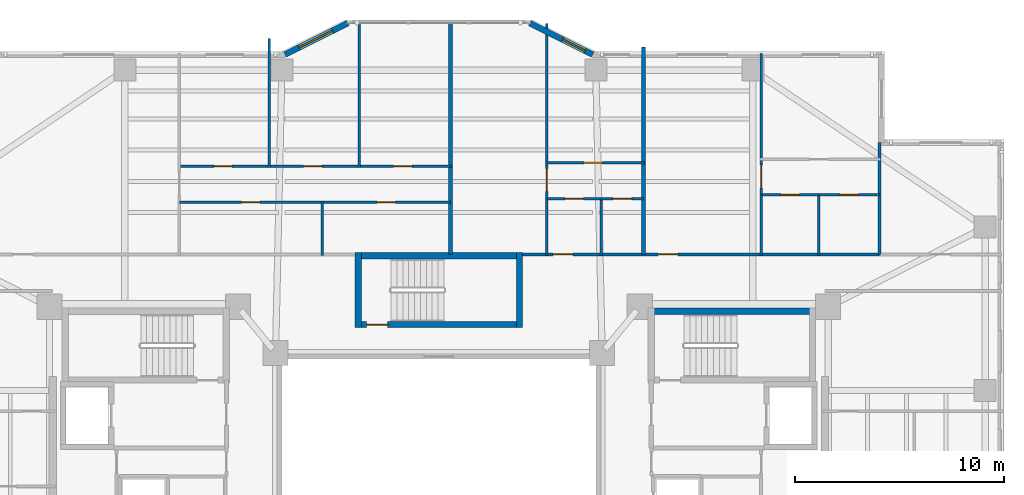
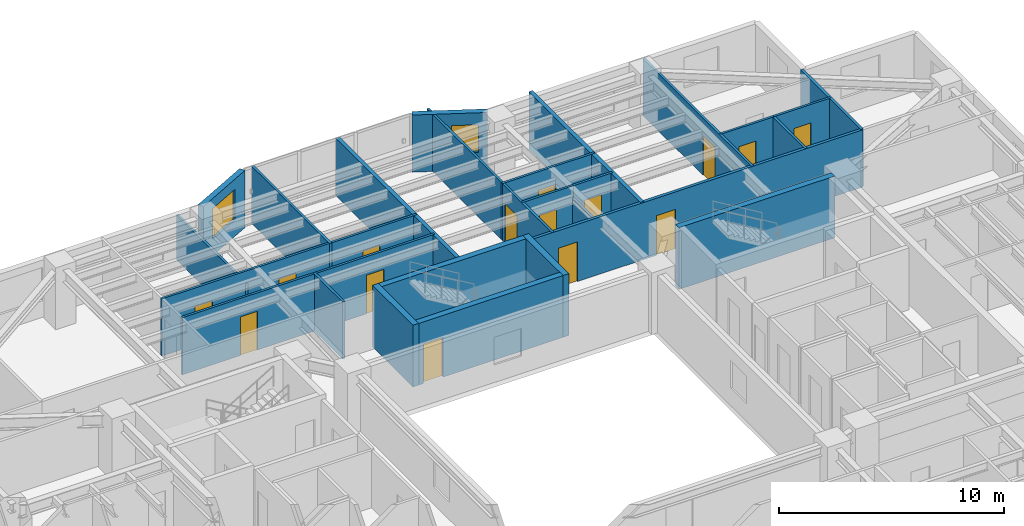
# One storey, part 10 of 18: 26 walls, 15 doors, 2 windows, 17 openings.
"""IFC4 building model written with IfcOpenShell, lengths in metres."""

import ifcopenshell
import ifcopenshell.guid

model = None  # the IFC model being written
_history = None  # IfcOwnerHistory: only IFC2X3 demands one
_inside = {}  # id of a spatial element -> (the spatial element, [elements in it])
_under = {}  # id of a project, library or spatial element -> (it, [spatial elements below it])
_declared = {}  # id of a project -> (the project, [libraries it declares])
_typed = {}  # id of a type object -> (the type object, [elements of that type])
_made_of = {}  # id of a material, layer set ... -> (it, [elements and type objects made of it])


def new_model(schema):
    """Start an empty IFC model of exactly this schema.

    Asked for "IFC4X3", IfcOpenShell would pick the latest addendum, in which some entities
    have other attributes; the version numbers below select the first issue.
    IFC2X3 requires an IfcOwnerHistory on every rooted entity: one is made here for all.
    """
    global model, _history
    if schema == "IFC4X3":
        model = ifcopenshell.file(schema_version=(4, 3, 0, 0))
    else:
        model = ifcopenshell.file(schema=schema)
    _inside.clear()
    _under.clear()
    _declared.clear()
    _typed.clear()
    _made_of.clear()
    _history = None
    if model.schema == "IFC2X3":
        org = make("IfcOrganization", Name="unknown")
        user = make(
            "IfcPersonAndOrganization",
            ThePerson=make("IfcPerson", FamilyName="unknown"),
            TheOrganization=org,
        )
        app = make(
            "IfcApplication",
            ApplicationDeveloper=org,
            Version="unknown",
            ApplicationFullName="unknown",
            ApplicationIdentifier="unknown",
        )
        _history = make(
            "IfcOwnerHistory",
            OwningUser=user,
            OwningApplication=app,
            ChangeAction="ADDED",
            CreationDate=0,
        )
    return model


def make(cls, **values):
    """One entity of the class cls with the attributes given. An attribute that is None is left unset."""
    return model.create_entity(
        cls, **{name: value for name, value in values.items() if value is not None}
    )


def rooted(cls, **values):
    """An entity with a GlobalId (a new one), such as an element, a storey or a relation."""
    return make(cls, GlobalId=ifcopenshell.guid.new(), OwnerHistory=_history, **values)


def si_unit(unit_type, name, prefix=None):
    """IfcSIUnit, for example si_unit("LENGTHUNIT", "METRE", prefix="MILLI")."""
    return make("IfcSIUnit", UnitType=unit_type, Prefix=prefix, Name=name)


def assignment(units):
    """IfcUnitAssignment: the units of a project."""
    return None if units is None else make("IfcUnitAssignment", Units=units)


def point(xyz):
    """IfcCartesianPoint."""
    return None if xyz is None else make("IfcCartesianPoint", Coordinates=xyz)


def direction(xyz):
    """IfcDirection."""
    return None if xyz is None else make("IfcDirection", DirectionRatios=xyz)


def frame(location, z_axis=None, x_axis=None):
    """IfcAxis2Placement3D, a coordinate frame: its origin and axes. An axis left out is left unset."""
    return make(
        "IfcAxis2Placement3D",
        Location=point(location),
        Axis=direction(z_axis),
        RefDirection=direction(x_axis),
    )


def frame_2d(location, x_axis=None):
    """IfcAxis2Placement2D, a coordinate frame in the plane: its origin and x axis."""
    return make(
        "IfcAxis2Placement2D", Location=point(location), RefDirection=direction(x_axis)
    )


def origin():
    """The frame at (0, 0, 0) with its axes left unset."""
    return frame((0.0, 0.0, 0.0))


def place(relative_to, where):
    """IfcLocalPlacement: puts the frame where relative to a parent placement (None: the world)."""
    return make(
        "IfcLocalPlacement", PlacementRelTo=relative_to, RelativePlacement=where
    )


def context(
    kind, dimensions, precision=None, world=None, true_north=None, identifier=None
):
    """IfcGeometricRepresentationContext, for example the 3D "Model" context."""
    return make(
        "IfcGeometricRepresentationContext",
        ContextIdentifier=identifier,
        ContextType=kind,
        CoordinateSpaceDimension=dimensions,
        Precision=precision,
        WorldCoordinateSystem=world,
        TrueNorth=true_north,
    )


def subcontext(parent, identifier, kind, view, scale=None):
    """IfcGeometricRepresentationSubContext, for example "Body" below "Model"."""
    return make(
        "IfcGeometricRepresentationSubContext",
        ContextIdentifier=identifier,
        ContextType=kind,
        ParentContext=parent,
        TargetScale=scale,
        TargetView=view,
    )


def project(units=None, contexts=None):
    """IfcProject with its units and contexts."""
    return rooted(
        "IfcProject",
        Name="project",
        RepresentationContexts=contexts,
        UnitsInContext=assignment(units),
    )


def spatial(cls, under=None, at=None, **own):
    """A site, building, storey or space (cls), placed at a placement, below another one or the project."""
    s = rooted(cls, ObjectPlacement=at, **own)
    if under is not None:
        _under.setdefault(under.id(), (under, []))[1].append(s)
    return s


def profile(cls, at=None, kind="AREA", **sizes):
    """A parametric profile (cls). Its sizes go by their IFC names, for example OverallWidth=200.0."""
    return make(cls, ProfileType=kind, Position=at, **sizes)


def rectangle(**sizes):
    """IfcRectangleProfileDef."""
    return profile("IfcRectangleProfileDef", **sizes)


def extrude(swept, where, along, depth):
    """IfcExtrudedAreaSolid: the profile swept, set in the frame where, extruded along a direction by depth."""
    return make(
        "IfcExtrudedAreaSolid",
        SweptArea=swept,
        Position=where,
        ExtrudedDirection=direction(along),
        Depth=depth,
    )


def shape(context_of_items, identifier, shape_type, items):
    """IfcShapeRepresentation: the items that make up one representation, for example the "Body"."""
    return make(
        "IfcShapeRepresentation",
        ContextOfItems=context_of_items,
        RepresentationIdentifier=identifier,
        RepresentationType=shape_type,
        Items=items,
    )


def material(Name=None, Category=None):
    """IfcMaterial."""
    return make("IfcMaterial", Name=Name, Category=Category)


def layer(
    of_material, thickness, ventilated=None, Name=None, Category=None, Priority=None
):
    """IfcMaterialLayer: one layer of a wall or slab, of a material (None: an air gap)."""
    return make(
        "IfcMaterialLayer",
        Material=of_material,
        LayerThickness=thickness,
        IsVentilated=ventilated,
        Name=Name,
        Category=Category,
        Priority=Priority,
    )


def layer_set(layers, Name=None):
    """IfcMaterialLayerSet."""
    return make("IfcMaterialLayerSet", MaterialLayers=layers, LayerSetName=Name)


def made_of(thing, what):
    """Note that an element or type object is made of a material, layer set ...; save() writes the relation."""
    if what is not None:
        _made_of.setdefault(what.id(), (what, []))[1].append(thing)
    return thing


def type_object(cls, material=None, **own):
    """A type object (cls), such as IfcWallType, which elements share."""
    return made_of(rooted(cls, **own), material)


def element(
    cls,
    number,
    at=None,
    inside=None,
    cuts=None,
    type_object=None,
    material=None,
    context=None,
    identifier="Body",
    shape_type=None,
    held_by="IfcProductDefinitionShape",
    body=None,
    shapes=None,
    **own,
):
    """One element of the class cls, such as IfcWall. Its Tag is "e" and its number.

    at: its placement. inside: the storey or other place that contains it. cuts: it is an
    opening in that element (IfcRelVoidsElement). A single representation is given by context,
    identifier, shape_type and body (its items); several are given by shapes. held_by: the class
    of the entity that holds the representations. save() writes the other relations.
    """
    e = rooted(cls, Tag="e%d" % number, ObjectPlacement=at, **own)
    if body is not None:
        shapes = [shape(context, identifier, shape_type, body)]
    if shapes is not None:
        e.Representation = make(held_by, Representations=shapes)
    if inside is not None:
        _inside.setdefault(inside.id(), (inside, []))[1].append(e)
    if cuts is not None:
        rooted(
            "IfcRelVoidsElement", RelatingBuildingElement=cuts, RelatedOpeningElement=e
        )
    if type_object is not None:
        _typed.setdefault(type_object.id(), (type_object, []))[1].append(e)
    return made_of(e, material)


def fill(opening, filler):
    """IfcRelFillsElement: the door or window that sits in an opening."""
    return rooted(
        "IfcRelFillsElement",
        RelatingOpeningElement=opening,
        RelatedBuildingElement=filler,
    )


def aggregate(whole, parts):
    """IfcRelAggregates: a whole, such as a stair, and the parts it consists of."""
    return rooted("IfcRelAggregates", RelatingObject=whole, RelatedObjects=parts)


def save(model, path):
    """Write the relations noted so far, then the file.

    IfcRelAggregates (storeys below a building ...), IfcRelContainedInSpatialStructure (elements
    in a storey), IfcRelDefinesByType, IfcRelAssociatesMaterial and IfcRelDeclares: one each for
    every whole, place, type object, material and project.
    """
    for whole, parts in _under.values():
        aggregate(whole, parts)
    for where, things in _inside.values():
        rooted(
            "IfcRelContainedInSpatialStructure",
            RelatedElements=things,
            RelatingStructure=where,
        )
    for kind, things in _typed.values():
        rooted("IfcRelDefinesByType", RelatedObjects=things, RelatingType=kind)
    for what, things in _made_of.values():
        rooted("IfcRelAssociatesMaterial", RelatedObjects=things, RelatingMaterial=what)
    for by, libraries in _declared.values():
        rooted("IfcRelDeclares", RelatingContext=by, RelatedDefinitions=libraries)
    model.write(path)


model = new_model("IFC4")

# Units and contexts
model_context = context("Model", 3, precision=1e-05, world=origin(), true_north=direction((0.0, 1.0)))
body_context = subcontext(model_context, "Body", "Model", "MODEL_VIEW")
ifc_project = project(units=[si_unit("LENGTHUNIT", "METRE"), si_unit("AREAUNIT", "SQUARE_METRE"), si_unit("VOLUMEUNIT", "CUBIC_METRE"), si_unit("PLANEANGLEUNIT", "RADIAN"), si_unit("MASSUNIT", "GRAM", prefix="KILO")], contexts=[model_context])

# Site, building, storey
site_placement = place(None, origin())
site = spatial("IfcSite", under=ifc_project, at=site_placement, CompositionType="ELEMENT")
building_placement = place(site_placement, origin())
building = spatial("IfcBuilding", under=site, at=building_placement, Name="Tarnavaz Court Tower", CompositionType="ELEMENT")
storey_placement = place(building_placement, frame((0.0, 0.0, 91.699951171875)))
storey = spatial("IfcBuildingStorey", under=building, at=storey_placement, Name="L24", CompositionType="ELEMENT", Elevation=91.699951171875)

# Walls
ifc_material_1 = material(Name="Concrete C60/75", Category="concrete")
ifc_layer_1 = layer(ifc_material_1, 0.300048828125)
ifc_layer_set_1 = layer_set([ifc_layer_1], Name="Concrete C60/75")
wall_type_1 = type_object("IfcWallType", Name="WL-CORE-300-C60", PredefinedType="SHEAR", material=ifc_layer_set_1)
for number, where, z_axis, x_axis, name in (
    (1, (10.0, 9.7900390625, 0.0), (0.0, 0.0, 1.0), (1.0, 0.0, 0.0), "L24 East Stair Core Wall 005"),
    (2, (-4.0, 12.43994140625, 0.0), (0.0, 0.0, 1.0), (1.0, 0.0, 0.0), "L24 North Stair Core Wall 009"),
):
    element("IfcWall", number, at=place(storey_placement, frame(where, z_axis=z_axis, x_axis=x_axis)), inside=storey, type_object=wall_type_1, Name=name, PredefinedType="SHEAR", context=body_context, shape_type="SweptSolid", body=[
        extrude(rectangle(XDim=8.0, YDim=0.300048828125, at=frame_2d((4.0, 0.0))), origin(), (0.0, 0.0, 1.0), 3.35009765625),
    ])

# Wall, opening, door
wall_1_placement = place(storey_placement, frame((-4.0, 9.14990234375, 0.0), z_axis=(0.0, 0.0, 1.0), x_axis=(1.0, 0.0, 0.0)))
wall_1 = element("IfcWall", 3, at=wall_1_placement, inside=storey, type_object=wall_type_1, Name="L24 North Stair Core Wall 010", PredefinedType="SHEAR", context=body_context, shape_type="SweptSolid", body=[
    extrude(rectangle(XDim=8.0, YDim=0.300048828125, at=frame_2d((4.0, 0.0))), origin(), (0.0, 0.0, 1.0), 3.35009765625),
])
opening_1_placement = place(wall_1_placement, frame((0.550048828125, 0.0, 0.0)))
opening_1 = element("IfcOpeningElement", 4, at=opening_1_placement, cuts=wall_1, Name="Opening D01", PredefinedType="OPENING", context=body_context, shape_type="SweptSolid", body=[
    extrude(rectangle(XDim=1.0, YDim=2.14990234375, at=frame_2d((0.5, 1.074951171875))), frame((0.0, 0.159912109375, 0.0), z_axis=(0.0, -1.0, 0.0), x_axis=(1.0, 0.0, 0.0)), (0.0, 0.0, 1.0), 0.320068359375),
])
ifc_material_2 = material(Name="Fire-Rated Hardwood Timber Core", Category="wood")
door_type_1 = type_object("IfcDoorType", Name="DR-FD90-1000", OperationType="NOTDEFINED", PredefinedType="DOOR", material=ifc_material_2)
door_1_placement = place(opening_1_placement, origin())
door_1 = element("IfcDoor", 5, at=door_1_placement, inside=storey, type_object=door_type_1, Name="L24 Stair ST-N1 Exit Door", OperationType="SINGLE_SWING_LEFT", OverallHeight=2.14990234375, OverallWidth=1.0, PredefinedType="DOOR", context=body_context, shape_type="SweptSolid", body=[
    extrude(rectangle(XDim=1.0, YDim=2.14990234375, at=frame_2d((0.5, 1.074951171875))), frame((0.0, 0.02490234375, 0.0), z_axis=(0.0, -1.0, 0.0), x_axis=(1.0, 0.0, 0.0)), (0.0, 0.0, 1.0), 0.050048828125),
])
fill(opening_1, door_1)

# Walls
for number, where, z_axis, x_axis, name in (
    (6, (-3.85009765625, 9.0, 0.0), (0.0, 0.0, 1.0), (0.0, 1.0, 0.0), "L24 North Stair Core Wall 011"),
    (7, (3.85009765625, 9.0, 0.0), (0.0, 0.0, 1.0), (0.0, 1.0, 0.0), "L24 North Stair Core Wall 012"),
):
    element("IfcWall", number, at=place(storey_placement, frame(where, z_axis=z_axis, x_axis=x_axis)), inside=storey, type_object=wall_type_1, Name=name, PredefinedType="SHEAR", context=body_context, shape_type="SweptSolid", body=[
        extrude(rectangle(XDim=3.590087890625, YDim=0.300048828125, at=frame_2d((1.794921875, 0.0))), origin(), (0.0, 0.0, 1.0), 3.35009765625),
    ])

# Wall, opening, window
ifc_material_3 = material(Name="Precast Concrete C40/50", Category="concrete")
ifc_layer_2 = layer(ifc_material_3, 0.280029296875)
ifc_layer_set_2 = layer_set([ifc_layer_2], Name="Precast Concrete C40/50")
wall_type_2 = type_object("IfcWallType", Name="WL-EXT-280", PredefinedType="SOLIDWALL", material=ifc_layer_set_2)
wall_2_placement = place(storey_placement, frame((-7.35009765625, 22.050048828125, 0.0), z_axis=(0.0, 0.0, 1.0), x_axis=(0.894427191, 0.4472135955, 0.0)))
wall_2 = element("IfcWall", 8, at=wall_2_placement, inside=storey, type_object=wall_type_2, Name="L24 Exterior Terracotta Facade Wall 06", PredefinedType="SOLIDWALL", context=body_context, shape_type="SweptSolid", body=[
    extrude(rectangle(XDim=3.35400390625, YDim=0.280029296875, at=frame_2d((1.677001953125, 0.0))), origin(), (0.0, 0.0, 1.0), 3.10009765625),
])
opening_2_placement = place(wall_2_placement, frame((0.7470703125, 0.0, 0.89990234375)))
opening_2 = element("IfcOpeningElement", 9, at=opening_2_placement, cuts=wall_2, Name="Opening W01", PredefinedType="OPENING", context=body_context, shape_type="SweptSolid", body=[
    extrude(rectangle(XDim=1.800048828125, YDim=1.64990234375, at=frame_2d((0.89990234375, 0.824951171875))), frame((0.0, 0.14990234375, 0.0), z_axis=(0.0, -1.0, 0.0), x_axis=(1.0, 0.0, 0.0)), (0.0, 0.0, 1.0), 0.300048828125),
])
ifc_material_4 = material(Name="Double-Glazed Solar Low-E Glass", Category="glass")
window_type_1 = type_object("IfcWindowType", Name="WN-APT-1800", PartitioningType="DOUBLE_PANEL_VERTICAL", PredefinedType="WINDOW", material=ifc_material_4)
window_1_placement = place(opening_2_placement, origin())
window_1 = element("IfcWindow", 10, at=window_1_placement, inside=storey, type_object=window_type_1, Name="L24 Flat 01 Bedroom 2 Window", OverallHeight=1.64990234375, OverallWidth=1.800048828125, PartitioningType="SINGLE_PANEL", PredefinedType="WINDOW", context=body_context, shape_type="SweptSolid", body=[
    extrude(rectangle(XDim=1.800048828125, YDim=1.64990234375, at=frame_2d((0.89990234375, 0.824951171875))), frame((0.0, 0.030029296875, 0.0), z_axis=(0.0, -1.0, 0.0), x_axis=(1.0, 0.0, 0.0)), (0.0, 0.0, 1.0), 0.06005859375),
])
fill(opening_2, window_1)

wall_3_placement = place(storey_placement, frame((4.35009765625, 23.550048828125, 0.0), z_axis=(0.0, 0.0, 1.0), x_axis=(0.894427191, -0.4472135955, 0.0)))
wall_3 = element("IfcWall", 11, at=wall_3_placement, inside=storey, type_object=wall_type_2, Name="L24 Exterior Terracotta Facade Wall 08", PredefinedType="SOLIDWALL", context=body_context, shape_type="SweptSolid", body=[
    extrude(rectangle(XDim=3.35400390625, YDim=0.280029296875, at=frame_2d((1.677001953125, 0.0))), origin(), (0.0, 0.0, 1.0), 3.10009765625),
])
opening_3_placement = place(wall_3_placement, frame((1.7529296875, 0.0, 0.949951171875)))
opening_3 = element("IfcOpeningElement", 12, at=opening_3_placement, cuts=wall_3, Name="Opening W05", PredefinedType="OPENING", context=body_context, shape_type="SweptSolid", body=[
    extrude(rectangle(XDim=1.199951171875, YDim=1.5, at=frame_2d((0.60009765625, 0.75))), frame((0.0, 0.14990234375, 0.0), z_axis=(0.0, -1.0, 0.0), x_axis=(1.0, 0.0, 0.0)), (0.0, 0.0, 1.0), 0.300048828125),
])
window_type_2 = type_object("IfcWindowType", Name="WN-APT-1200", PartitioningType="SINGLE_PANEL", PredefinedType="WINDOW", material=ifc_material_4)
window_2_placement = place(opening_3_placement, origin())
window_2 = element("IfcWindow", 13, at=window_2_placement, inside=storey, type_object=window_type_2, Name="L24 Flat 02 Bedroom 1 Window", OverallHeight=1.5, OverallWidth=1.199951171875, PartitioningType="SINGLE_PANEL", PredefinedType="WINDOW", context=body_context, shape_type="SweptSolid", body=[
    extrude(rectangle(XDim=1.199951171875, YDim=1.5, at=frame_2d((0.60009765625, 0.75))), frame((0.0, 0.030029296875, 0.0), z_axis=(0.0, -1.0, 0.0), x_axis=(1.0, 0.0, 0.0)), (0.0, 0.0, 1.0), 0.06005859375),
])
fill(opening_3, window_2)

# Wall, openings, doors
ifc_material_5 = material(Name="Gypsum Fire-Board on Acoustic Metal Stud", Category="masonry")
ifc_layer_3 = layer(ifc_material_5, 0.14990234375)
ifc_layer_set_3 = layer_set([ifc_layer_3], Name="Gypsum Fire-Board on Acoustic Metal Stud")
wall_type_3 = type_object("IfcWallType", Name="WL-FIRE-150", PredefinedType="PARTITIONING", material=ifc_layer_set_3)
wall_4_placement = place(storey_placement, frame((3.85009765625, 12.5, 0.0), z_axis=(0.0, 0.0, 1.0), x_axis=(1.0, 0.0, 0.0)))
wall_4 = element("IfcWall", 14, at=wall_4_placement, inside=storey, type_object=wall_type_3, Name="L24 NE Wing Corridor Wall 072", PredefinedType="PARTITIONING", context=body_context, shape_type="SweptSolid", body=[
    extrude(rectangle(XDim=17.199951171875, YDim=0.14990234375, at=frame_2d((8.60009765625, 0.0))), origin(), (0.0, 0.0, 1.0), 3.10009765625),
])
opening_4_placement = place(wall_4_placement, frame((1.60009765625, 0.0, 0.0)))
opening_4 = element("IfcOpeningElement", 15, at=opening_4_placement, cuts=wall_4, Name="Opening D06", PredefinedType="OPENING", context=body_context, shape_type="SweptSolid", body=[
    extrude(rectangle(XDim=0.9599609375, YDim=2.14990234375, at=frame_2d((0.47998046875, 1.074951171875))), frame((0.0, 0.0849609375, 0.0), z_axis=(0.0, -1.0, 0.0), x_axis=(1.0, 0.0, 0.0)), (0.0, 0.0, 1.0), 0.169921875),
])
opening_5_placement = place(wall_4_placement, frame((6.625, 0.0, 0.0)))
opening_5 = element("IfcOpeningElement", 16, at=opening_5_placement, cuts=wall_4, Name="Opening D06", PredefinedType="OPENING", context=body_context, shape_type="SweptSolid", body=[
    extrude(rectangle(XDim=0.9599609375, YDim=2.14990234375, at=frame_2d((0.47998046875, 1.074951171875))), frame((0.0, 0.0849609375, 0.0), z_axis=(0.0, -1.0, 0.0), x_axis=(1.0, 0.0, 0.0)), (0.0, 0.0, 1.0), 0.169921875),
])
door_type_2 = type_object("IfcDoorType", Name="DR-FD60-950", OperationType="NOTDEFINED", PredefinedType="DOOR", material=ifc_material_2)
door_2_placement = place(opening_4_placement, origin())
door_2 = element("IfcDoor", 17, at=door_2_placement, inside=storey, type_object=door_type_2, Name="L24 Flat 02 Entrance Door", OperationType="SINGLE_SWING_RIGHT", OverallHeight=2.14990234375, OverallWidth=0.9599609375, PredefinedType="DOOR", context=body_context, shape_type="SweptSolid", body=[
    extrude(rectangle(XDim=0.9599609375, YDim=2.14990234375, at=frame_2d((0.47998046875, 1.074951171875))), frame((0.0, 0.02490234375, 0.0), z_axis=(0.0, -1.0, 0.0), x_axis=(1.0, 0.0, 0.0)), (0.0, 0.0, 1.0), 0.050048828125),
])
fill(opening_4, door_2)
door_3_placement = place(opening_5_placement, origin())
door_3 = element("IfcDoor", 18, at=door_3_placement, inside=storey, type_object=door_type_2, Name="L24 Flat 03 Entrance Door", OperationType="SINGLE_SWING_LEFT", OverallHeight=2.14990234375, OverallWidth=0.9599609375, PredefinedType="DOOR", context=body_context, shape_type="SweptSolid", body=[
    extrude(rectangle(XDim=0.9599609375, YDim=2.14990234375, at=frame_2d((0.47998046875, 1.074951171875))), frame((0.0, 0.02490234375, 0.0), z_axis=(0.0, -1.0, 0.0), x_axis=(1.0, 0.0, 0.0)), (0.0, 0.0, 1.0), 0.050048828125),
])
fill(opening_5, door_3)

# Walls
ifc_material_6 = material(Name="Autoclaved Aerated Concrete Blockwork", Category="masonry")
ifc_layer_4 = layer(ifc_material_6, 0.199951171875)
ifc_layer_set_4 = layer_set([ifc_layer_4], Name="Autoclaved Aerated Concrete Blockwork")
wall_type_4 = type_object("IfcWallType", Name="WL-FIRE-200", PredefinedType="SOLIDWALL", material=ifc_layer_set_4)
wall_5_placement = place(storey_placement, frame((0.550048828125, 12.5, 0.0), z_axis=(0.0, 0.0, 1.0), x_axis=(0.0, 1.0, 0.0)))
element("IfcWall", 19, at=wall_5_placement, inside=storey, type_object=wall_type_4, Name="L24 North Center Party Wall 075", PredefinedType="SOLIDWALL", context=body_context, shape_type="SweptSolid", body=[
    extrude(rectangle(XDim=11.080078125, YDim=0.199951171875, at=frame_2d((5.5400390625, 0.0))), origin(), (0.0, 0.0, 1.0), 3.10009765625),
])
wall_6_placement = place(storey_placement, frame((9.77490234375, 12.5, 0.0), z_axis=(0.0, 0.0, 1.0), x_axis=(0.0, 1.0, 0.0)))
element("IfcWall", 20, at=wall_6_placement, inside=storey, type_object=wall_type_4, Name="L24 Party Wall 083", PredefinedType="SOLIDWALL", context=body_context, shape_type="SweptSolid", body=[
    extrude(rectangle(XDim=9.902099609375, YDim=0.199951171875, at=frame_2d((4.951171875, 0.0))), origin(), (0.0, 0.0, 1.0), 3.10009765625),
])

# Wall, opening, door
ifc_material_7 = material(Name="Moisture-Resistant Gypsum Board Partition", Category="masonry")
ifc_layer_5 = layer(ifc_material_7, 0.1201171875)
ifc_layer_set_5 = layer_set([ifc_layer_5], Name="Moisture-Resistant Gypsum Board Partition")
wall_type_5 = type_object("IfcWallType", Name="WL-PART-120", PredefinedType="PARTITIONING", material=ifc_layer_set_5)
wall_7_placement = place(storey_placement, frame((-12.39794921875, 15.0, 0.0), z_axis=(0.0, 0.0, 1.0), x_axis=(1.0, 0.0, 0.0)))
wall_7 = element("IfcWall", 21, at=wall_7_placement, inside=storey, type_object=wall_type_5, Name="L24 Interior Partition 077", PredefinedType="PARTITIONING", context=body_context, shape_type="SweptSolid", body=[
    extrude(rectangle(XDim=6.8310546875, YDim=0.1201171875, at=frame_2d((3.41552734375, 0.0))), origin(), (0.0, 0.0, 1.0), 3.10009765625),
])
opening_6_placement = place(wall_7_placement, frame((2.97509765625, 0.0, 0.0)))
opening_6 = element("IfcOpeningElement", 22, at=opening_6_placement, cuts=wall_7, Name="Opening D14", PredefinedType="OPENING", context=body_context, shape_type="SweptSolid", body=[
    extrude(rectangle(XDim=0.8798828125, YDim=2.10009765625, at=frame_2d((0.43994140625, 1.050048828125))), frame((0.0, 0.070068359375, 0.0), z_axis=(0.0, -1.0, 0.0), x_axis=(1.0, 0.0, 0.0)), (0.0, 0.0, 1.0), 0.14013671875),
])
ifc_material_8 = material(Name="Engineered Oak Timber", Category="wood")
door_type_3 = type_object("IfcDoorType", Name="DR-INT-900", OperationType="NOTDEFINED", PredefinedType="DOOR", material=ifc_material_8)
door_4_placement = place(opening_6_placement, origin())
door_4 = element("IfcDoor", 23, at=door_4_placement, inside=storey, type_object=door_type_3, Name="L24 Flat 01 Kitchen Door", OperationType="SINGLE_SWING_LEFT", OverallHeight=2.10009765625, OverallWidth=0.8798828125, PredefinedType="DOOR", context=body_context, shape_type="SweptSolid", body=[
    extrude(rectangle(XDim=0.8798828125, YDim=2.10009765625, at=frame_2d((0.43994140625, 1.050048828125))), frame((0.0, 0.02490234375, 0.0), z_axis=(0.0, -1.0, 0.0), x_axis=(1.0, 0.0, 0.0)), (0.0, 0.0, 1.0), 0.050048828125),
])
fill(opening_6, door_4)

wall_8_placement = place(storey_placement, frame((-5.56689453125, 15.0, 0.0), z_axis=(0.0, 0.0, 1.0), x_axis=(1.0, 0.0, 0.0)))
wall_8 = element("IfcWall", 24, at=wall_8_placement, inside=storey, type_object=wall_type_5, Name="L24 Interior Partition 078", PredefinedType="PARTITIONING", context=body_context, shape_type="SweptSolid", body=[
    extrude(rectangle(XDim=6.116943359375, YDim=0.1201171875, at=frame_2d((3.05859375, 0.0))), origin(), (0.0, 0.0, 1.0), 3.10009765625),
])
opening_7_placement = place(wall_8_placement, frame((2.618896484375, 0.0, 0.0)))
opening_7 = element("IfcOpeningElement", 25, at=opening_7_placement, cuts=wall_8, Name="Opening D14", PredefinedType="OPENING", context=body_context, shape_type="SweptSolid", body=[
    extrude(rectangle(XDim=0.8798828125, YDim=2.10009765625, at=frame_2d((0.43994140625, 1.050048828125))), frame((0.0, 0.070068359375, 0.0), z_axis=(0.0, -1.0, 0.0), x_axis=(1.0, 0.0, 0.0)), (0.0, 0.0, 1.0), 0.14013671875),
])
door_5_placement = place(opening_7_placement, origin())
door_5 = element("IfcDoor", 26, at=door_5_placement, inside=storey, type_object=door_type_3, Name="L24 Flat 01 Bathroom Door", OperationType="SINGLE_SWING_RIGHT", OverallHeight=2.10009765625, OverallWidth=0.8798828125, PredefinedType="DOOR", context=body_context, shape_type="SweptSolid", body=[
    extrude(rectangle(XDim=0.8798828125, YDim=2.10009765625, at=frame_2d((0.43994140625, 1.050048828125))), frame((0.0, 0.02490234375, 0.0), z_axis=(0.0, -1.0, 0.0), x_axis=(1.0, 0.0, 0.0)), (0.0, 0.0, 1.0), 0.050048828125),
])
fill(opening_7, door_5)

# Wall, openings, doors
wall_9_placement = place(storey_placement, frame((-12.4580078125, 16.7099609375, 0.0), z_axis=(0.0, 0.0, 1.0), x_axis=(1.0, 0.0, 0.0)))
wall_9 = element("IfcWall", 27, at=wall_9_placement, inside=storey, type_object=wall_type_5, Name="L24 Interior Partition 079", PredefinedType="PARTITIONING", context=body_context, shape_type="SweptSolid", body=[
    extrude(rectangle(XDim=13.068115234375, YDim=0.1201171875, at=frame_2d((6.5341796875, 0.0))), origin(), (0.0, 0.0, 1.0), 3.10009765625),
])
opening_8_placement = place(wall_9_placement, frame((1.7080078125, 0.0, 0.0)))
opening_8 = element("IfcOpeningElement", 28, at=opening_8_placement, cuts=wall_9, Name="Opening D14", PredefinedType="OPENING", context=body_context, shape_type="SweptSolid", body=[
    extrude(rectangle(XDim=0.8798828125, YDim=2.10009765625, at=frame_2d((0.43994140625, 1.050048828125))), frame((0.0, 0.070068359375, 0.0), z_axis=(0.0, -1.0, 0.0), x_axis=(1.0, 0.0, 0.0)), (0.0, 0.0, 1.0), 0.14013671875),
])
opening_9_placement = place(wall_9_placement, frame((6.00390625, 0.0, 0.0)))
opening_9 = element("IfcOpeningElement", 29, at=opening_9_placement, cuts=wall_9, Name="Opening D14", PredefinedType="OPENING", context=body_context, shape_type="SweptSolid", body=[
    extrude(rectangle(XDim=0.8798828125, YDim=2.10009765625, at=frame_2d((0.43994140625, 1.050048828125))), frame((0.0, 0.070068359375, 0.0), z_axis=(0.0, -1.0, 0.0), x_axis=(1.0, 0.0, 0.0)), (0.0, 0.0, 1.0), 0.14013671875),
])
opening_10_placement = place(wall_9_placement, frame((10.300048828125, 0.0, 0.0)))
opening_10 = element("IfcOpeningElement", 30, at=opening_10_placement, cuts=wall_9, Name="Opening D14", PredefinedType="OPENING", context=body_context, shape_type="SweptSolid", body=[
    extrude(rectangle(XDim=0.8798828125, YDim=2.10009765625, at=frame_2d((0.43994140625, 1.050048828125))), frame((0.0, 0.070068359375, 0.0), z_axis=(0.0, -1.0, 0.0), x_axis=(1.0, 0.0, 0.0)), (0.0, 0.0, 1.0), 0.14013671875),
])
door_6_placement = place(opening_8_placement, origin())
door_6 = element("IfcDoor", 31, at=door_6_placement, inside=storey, type_object=door_type_3, Name="L24 Flat 01 Bedroom 1 Door", OperationType="SINGLE_SWING_LEFT", OverallHeight=2.10009765625, OverallWidth=0.8798828125, PredefinedType="DOOR", context=body_context, shape_type="SweptSolid", body=[
    extrude(rectangle(XDim=0.8798828125, YDim=2.10009765625, at=frame_2d((0.43994140625, 1.050048828125))), frame((0.0, 0.02490234375, 0.0), z_axis=(0.0, -1.0, 0.0), x_axis=(1.0, 0.0, 0.0)), (0.0, 0.0, 1.0), 0.050048828125),
])
fill(opening_8, door_6)
door_7_placement = place(opening_9_placement, origin())
door_7 = element("IfcDoor", 32, at=door_7_placement, inside=storey, type_object=door_type_3, Name="L24 Flat 01 Bedroom 2 Door", OperationType="SINGLE_SWING_RIGHT", OverallHeight=2.10009765625, OverallWidth=0.8798828125, PredefinedType="DOOR", context=body_context, shape_type="SweptSolid", body=[
    extrude(rectangle(XDim=0.8798828125, YDim=2.10009765625, at=frame_2d((0.43994140625, 1.050048828125))), frame((0.0, 0.02490234375, 0.0), z_axis=(0.0, -1.0, 0.0), x_axis=(1.0, 0.0, 0.0)), (0.0, 0.0, 1.0), 0.050048828125),
])
fill(opening_9, door_7)
door_8_placement = place(opening_10_placement, origin())
door_8 = element("IfcDoor", 33, at=door_8_placement, inside=storey, type_object=door_type_3, Name="L24 Flat 01 Bedroom 3 Door", OperationType="SINGLE_SWING_LEFT", OverallHeight=2.10009765625, OverallWidth=0.8798828125, PredefinedType="DOOR", context=body_context, shape_type="SweptSolid", body=[
    extrude(rectangle(XDim=0.8798828125, YDim=2.10009765625, at=frame_2d((0.43994140625, 1.050048828125))), frame((0.0, 0.02490234375, 0.0), z_axis=(0.0, -1.0, 0.0), x_axis=(1.0, 0.0, 0.0)), (0.0, 0.0, 1.0), 0.050048828125),
])
fill(opening_10, door_8)

# Walls
wall_10_placement = place(storey_placement, frame((-5.56689453125, 12.43994140625, 0.0), z_axis=(0.0, 0.0, 1.0), x_axis=(0.0, 1.0, 0.0)))
element("IfcWall", 34, at=wall_10_placement, inside=storey, type_object=wall_type_5, Name="L24 Interior Partition 080", PredefinedType="PARTITIONING", context=body_context, shape_type="SweptSolid", body=[
    extrude(rectangle(XDim=2.6201171875, YDim=0.1201171875, at=frame_2d((1.31005859375, 0.0))), origin(), (0.0, 0.0, 1.0), 3.10009765625),
])
wall_11_placement = place(storey_placement, frame((-8.10205078125, 16.64990234375, 0.0), z_axis=(0.0, 0.0, 1.0), x_axis=(0.0, 1.0, 0.0)))
element("IfcWall", 35, at=wall_11_placement, inside=storey, type_object=wall_type_5, Name="L24 Interior Partition 081", PredefinedType="PARTITIONING", context=body_context, shape_type="SweptSolid", body=[
    extrude(rectangle(XDim=6.1650390625, YDim=0.1201171875, at=frame_2d((3.08251953125, 0.0))), origin(), (0.0, 0.0, 1.0), 2.43505859375),
])
wall_12_placement = place(storey_placement, frame((-3.805908203125, 16.64990234375, 0.0), z_axis=(0.0, 0.0, 1.0), x_axis=(0.0, 1.0, 0.0)))
element("IfcWall", 36, at=wall_12_placement, inside=storey, type_object=wall_type_5, Name="L24 Interior Partition 082", PredefinedType="PARTITIONING", context=body_context, shape_type="SweptSolid", body=[
    extrude(rectangle(XDim=6.93017578125, YDim=0.1201171875, at=frame_2d((3.465087890625, 0.0))), origin(), (0.0, 0.0, 1.0), 3.10009765625),
])

# Wall, opening, door
wall_13_placement = place(storey_placement, frame((5.1630859375, 12.43994140625, 0.0), z_axis=(0.0, 0.0, 1.0), x_axis=(0.0, 1.0, 0.0)))
wall_13 = element("IfcWall", 37, at=wall_13_placement, inside=storey, type_object=wall_type_5, Name="L24 Interior Partition 084", PredefinedType="PARTITIONING", context=body_context, shape_type="SweptSolid", body=[
    extrude(rectangle(XDim=11.10009765625, YDim=0.1201171875, at=frame_2d((5.550048828125, 0.0))), origin(), (0.0, 0.0, 1.0), 3.10009765625),
])
opening_11_placement = place(wall_13_placement, frame((3.074951171875, 0.0, 0.0)))
opening_11 = element("IfcOpeningElement", 38, at=opening_11_placement, cuts=wall_13, Name="Opening D12", PredefinedType="OPENING", context=body_context, shape_type="SweptSolid", body=[
    extrude(rectangle(XDim=1.080078125, YDim=2.14990234375, at=frame_2d((0.5400390625, 1.074951171875))), frame((0.0, 0.070068359375, 0.0), z_axis=(0.0, -1.0, 0.0), x_axis=(1.0, 0.0, 0.0)), (0.0, 0.0, 1.0), 0.14013671875),
])
door_type_4 = type_object("IfcDoorType", Name="DR-INT-1100", OperationType="NOTDEFINED", PredefinedType="DOOR", material=ifc_material_8)
door_9_placement = place(opening_11_placement, origin())
door_9 = element("IfcDoor", 39, at=door_9_placement, inside=storey, type_object=door_type_4, Name="L24 Flat 02 Foyer Door", OperationType="SINGLE_SWING_LEFT", OverallHeight=2.14990234375, OverallWidth=1.080078125, PredefinedType="DOOR", context=body_context, shape_type="SweptSolid", body=[
    extrude(rectangle(XDim=1.080078125, YDim=2.14990234375, at=frame_2d((0.5400390625, 1.074951171875))), frame((0.0, 0.02490234375, 0.0), z_axis=(0.0, -1.0, 0.0), x_axis=(1.0, 0.0, 0.0)), (0.0, 0.0, 1.0), 0.050048828125),
])
fill(opening_11, door_9)

wall_14_placement = place(storey_placement, frame((5.1630859375, 15.169921875, 0.0), z_axis=(0.0, 0.0, 1.0), x_axis=(1.0, 0.0, 0.0)))
wall_14 = element("IfcWall", 40, at=wall_14_placement, inside=storey, type_object=wall_type_5, Name="L24 Interior Partition 085", PredefinedType="PARTITIONING", context=body_context, shape_type="SweptSolid", body=[
    extrude(rectangle(XDim=2.594970703125, YDim=0.1201171875, at=frame_2d((1.29736328125, 0.0))), origin(), (0.0, 0.0, 1.0), 3.10009765625),
])
opening_12_placement = place(wall_14_placement, frame((0.85693359375, 0.0, 0.0)))
opening_12 = element("IfcOpeningElement", 41, at=opening_12_placement, cuts=wall_14, Name="Opening D14", PredefinedType="OPENING", context=body_context, shape_type="SweptSolid", body=[
    extrude(rectangle(XDim=0.8798828125, YDim=2.10009765625, at=frame_2d((0.43994140625, 1.050048828125))), frame((0.0, 0.070068359375, 0.0), z_axis=(0.0, -1.0, 0.0), x_axis=(1.0, 0.0, 0.0)), (0.0, 0.0, 1.0), 0.14013671875),
])
door_10_placement = place(opening_12_placement, origin())
door_10 = element("IfcDoor", 42, at=door_10_placement, inside=storey, type_object=door_type_3, Name="L24 Flat 02 Kitchen Door", OperationType="SINGLE_SWING_RIGHT", OverallHeight=2.10009765625, OverallWidth=0.8798828125, PredefinedType="DOOR", context=body_context, shape_type="SweptSolid", body=[
    extrude(rectangle(XDim=0.8798828125, YDim=2.10009765625, at=frame_2d((0.43994140625, 1.050048828125))), frame((0.0, 0.02490234375, 0.0), z_axis=(0.0, -1.0, 0.0), x_axis=(1.0, 0.0, 0.0)), (0.0, 0.0, 1.0), 0.050048828125),
])
fill(opening_12, door_10)

wall_15_placement = place(storey_placement, frame((7.758056640625, 15.169921875, 0.0), z_axis=(0.0, 0.0, 1.0), x_axis=(1.0, 0.0, 0.0)))
wall_15 = element("IfcWall", 43, at=wall_15_placement, inside=storey, type_object=wall_type_5, Name="L24 Interior Partition 086", PredefinedType="PARTITIONING", context=body_context, shape_type="SweptSolid", body=[
    extrude(rectangle(XDim=2.016845703125, YDim=0.1201171875, at=frame_2d((1.00830078125, 0.0))), origin(), (0.0, 0.0, 1.0), 3.10009765625),
])
opening_13_placement = place(wall_15_placement, frame((0.569091796875, 0.0, 0.0)))
opening_13 = element("IfcOpeningElement", 44, at=opening_13_placement, cuts=wall_15, Name="Opening D14", PredefinedType="OPENING", context=body_context, shape_type="SweptSolid", body=[
    extrude(rectangle(XDim=0.8798828125, YDim=2.10009765625, at=frame_2d((0.43994140625, 1.050048828125))), frame((0.0, 0.070068359375, 0.0), z_axis=(0.0, -1.0, 0.0), x_axis=(1.0, 0.0, 0.0)), (0.0, 0.0, 1.0), 0.14013671875),
])
door_11_placement = place(opening_13_placement, origin())
door_11 = element("IfcDoor", 45, at=door_11_placement, inside=storey, type_object=door_type_3, Name="L24 Flat 02 Bathroom Door", OperationType="SINGLE_SWING_LEFT", OverallHeight=2.10009765625, OverallWidth=0.8798828125, PredefinedType="DOOR", context=body_context, shape_type="SweptSolid", body=[
    extrude(rectangle(XDim=0.8798828125, YDim=2.10009765625, at=frame_2d((0.43994140625, 1.050048828125))), frame((0.0, 0.02490234375, 0.0), z_axis=(0.0, -1.0, 0.0), x_axis=(1.0, 0.0, 0.0)), (0.0, 0.0, 1.0), 0.050048828125),
])
fill(opening_13, door_11)

wall_16_placement = place(storey_placement, frame((5.10302734375, 16.8798828125, 0.0), z_axis=(0.0, 0.0, 1.0), x_axis=(1.0, 0.0, 0.0)))
wall_16 = element("IfcWall", 46, at=wall_16_placement, inside=storey, type_object=wall_type_5, Name="L24 Interior Partition 087", PredefinedType="PARTITIONING", context=body_context, shape_type="SweptSolid", body=[
    extrude(rectangle(XDim=4.73193359375, YDim=0.1201171875, at=frame_2d((2.365966796875, 0.0))), origin(), (0.0, 0.0, 1.0), 3.10009765625),
])
opening_14_placement = place(wall_16_placement, frame((1.8359375, 0.0, 0.0)))
opening_14 = element("IfcOpeningElement", 47, at=opening_14_placement, cuts=wall_16, Name="Opening D14", PredefinedType="OPENING", context=body_context, shape_type="SweptSolid", body=[
    extrude(rectangle(XDim=0.8798828125, YDim=2.10009765625, at=frame_2d((0.43994140625, 1.050048828125))), frame((0.0, 0.070068359375, 0.0), z_axis=(0.0, -1.0, 0.0), x_axis=(1.0, 0.0, 0.0)), (0.0, 0.0, 1.0), 0.14013671875),
])
door_12_placement = place(opening_14_placement, origin())
door_12 = element("IfcDoor", 48, at=door_12_placement, inside=storey, type_object=door_type_3, Name="L24 Flat 02 Bedroom 1 Door", OperationType="SINGLE_SWING_RIGHT", OverallHeight=2.10009765625, OverallWidth=0.8798828125, PredefinedType="DOOR", context=body_context, shape_type="SweptSolid", body=[
    extrude(rectangle(XDim=0.8798828125, YDim=2.10009765625, at=frame_2d((0.43994140625, 1.050048828125))), frame((0.0, 0.02490234375, 0.0), z_axis=(0.0, -1.0, 0.0), x_axis=(1.0, 0.0, 0.0)), (0.0, 0.0, 1.0), 0.050048828125),
])
fill(opening_14, door_12)

# Wall
wall_17_placement = place(storey_placement, frame((7.758056640625, 12.43994140625, 0.0), z_axis=(0.0, 0.0, 1.0), x_axis=(0.0, 1.0, 0.0)))
element("IfcWall", 49, at=wall_17_placement, inside=storey, type_object=wall_type_5, Name="L24 Interior Partition 088", PredefinedType="PARTITIONING", context=body_context, shape_type="SweptSolid", body=[
    extrude(rectangle(XDim=2.7900390625, YDim=0.1201171875, at=frame_2d((1.39501953125, 0.0))), origin(), (0.0, 0.0, 1.0), 2.43505859375),
])

# Wall, opening, door
wall_18_placement = place(storey_placement, frame((15.4130859375, 12.43994140625, 0.0), z_axis=(0.0, 0.0, 1.0), x_axis=(0.0, 1.0, 0.0)))
wall_18 = element("IfcWall", 50, at=wall_18_placement, inside=storey, type_object=wall_type_5, Name="L24 Interior Partition 089", PredefinedType="PARTITIONING", context=body_context, shape_type="SweptSolid", body=[
    extrude(rectangle(XDim=9.66015625, YDim=0.1201171875, at=frame_2d((4.830078125, 0.0))), origin(), (0.0, 0.0, 1.0), 3.10009765625),
])
opening_15_placement = place(wall_18_placement, frame((3.2451171875, 0.0, 0.0)))
opening_15 = element("IfcOpeningElement", 51, at=opening_15_placement, cuts=wall_18, Name="Opening D12", PredefinedType="OPENING", context=body_context, shape_type="SweptSolid", body=[
    extrude(rectangle(XDim=1.080078125, YDim=2.14990234375, at=frame_2d((0.5400390625, 1.074951171875))), frame((0.0, 0.070068359375, 0.0), z_axis=(0.0, -1.0, 0.0), x_axis=(1.0, 0.0, 0.0)), (0.0, 0.0, 1.0), 0.14013671875),
])
door_13_placement = place(opening_15_placement, origin())
door_13 = element("IfcDoor", 52, at=door_13_placement, inside=storey, type_object=door_type_4, Name="L24 Flat 03 Foyer Door", OperationType="SINGLE_SWING_RIGHT", OverallHeight=2.14990234375, OverallWidth=1.080078125, PredefinedType="DOOR", context=body_context, shape_type="SweptSolid", body=[
    extrude(rectangle(XDim=1.080078125, YDim=2.14990234375, at=frame_2d((0.5400390625, 1.074951171875))), frame((0.0, 0.02490234375, 0.0), z_axis=(0.0, -1.0, 0.0), x_axis=(1.0, 0.0, 0.0)), (0.0, 0.0, 1.0), 0.050048828125),
])
fill(opening_15, door_13)

wall_19_placement = place(storey_placement, frame((15.4130859375, 15.340087890625, 0.0), z_axis=(0.0, 0.0, 1.0), x_axis=(1.0, 0.0, 0.0)))
wall_19 = element("IfcWall", 53, at=wall_19_placement, inside=storey, type_object=wall_type_5, Name="L24 Interior Partition 090", PredefinedType="PARTITIONING", context=body_context, shape_type="SweptSolid", body=[
    extrude(rectangle(XDim=2.73291015625, YDim=0.1201171875, at=frame_2d((1.366455078125, 0.0))), origin(), (0.0, 0.0, 1.0), 3.10009765625),
])
opening_16_placement = place(wall_19_placement, frame((0.927001953125, 0.0, 0.0)))
opening_16 = element("IfcOpeningElement", 54, at=opening_16_placement, cuts=wall_19, Name="Opening D14", PredefinedType="OPENING", context=body_context, shape_type="SweptSolid", body=[
    extrude(rectangle(XDim=0.8798828125, YDim=2.10009765625, at=frame_2d((0.43994140625, 1.050048828125))), frame((0.0, 0.070068359375, 0.0), z_axis=(0.0, -1.0, 0.0), x_axis=(1.0, 0.0, 0.0)), (0.0, 0.0, 1.0), 0.14013671875),
])
door_14_placement = place(opening_16_placement, origin())
door_14 = element("IfcDoor", 55, at=door_14_placement, inside=storey, type_object=door_type_3, Name="L24 Flat 03 Kitchen Door", OperationType="SINGLE_SWING_LEFT", OverallHeight=2.10009765625, OverallWidth=0.8798828125, PredefinedType="DOOR", context=body_context, shape_type="SweptSolid", body=[
    extrude(rectangle(XDim=0.8798828125, YDim=2.10009765625, at=frame_2d((0.43994140625, 1.050048828125))), frame((0.0, 0.02490234375, 0.0), z_axis=(0.0, -1.0, 0.0), x_axis=(1.0, 0.0, 0.0)), (0.0, 0.0, 1.0), 0.050048828125),
])
fill(opening_16, door_14)

wall_20_placement = place(storey_placement, frame((18.14599609375, 15.340087890625, 0.0), z_axis=(0.0, 0.0, 1.0), x_axis=(1.0, 0.0, 0.0)))
wall_20 = element("IfcWall", 56, at=wall_20_placement, inside=storey, type_object=wall_type_5, Name="L24 Interior Partition 091", PredefinedType="PARTITIONING", context=body_context, shape_type="SweptSolid", body=[
    extrude(rectangle(XDim=2.904052734375, YDim=0.1201171875, at=frame_2d((1.4521484375, 0.0))), origin(), (0.0, 0.0, 1.0), 3.10009765625),
])
opening_17_placement = place(wall_20_placement, frame((1.011962890625, 0.0, 0.0)))
opening_17 = element("IfcOpeningElement", 57, at=opening_17_placement, cuts=wall_20, Name="Opening D14", PredefinedType="OPENING", context=body_context, shape_type="SweptSolid", body=[
    extrude(rectangle(XDim=0.8798828125, YDim=2.10009765625, at=frame_2d((0.43994140625, 1.050048828125))), frame((0.0, 0.070068359375, 0.0), z_axis=(0.0, -1.0, 0.0), x_axis=(1.0, 0.0, 0.0)), (0.0, 0.0, 1.0), 0.14013671875),
])
door_15_placement = place(opening_17_placement, origin())
door_15 = element("IfcDoor", 58, at=door_15_placement, inside=storey, type_object=door_type_3, Name="L24 Flat 03 Bathroom Door", OperationType="SINGLE_SWING_RIGHT", OverallHeight=2.10009765625, OverallWidth=0.8798828125, PredefinedType="DOOR", context=body_context, shape_type="SweptSolid", body=[
    extrude(rectangle(XDim=0.8798828125, YDim=2.10009765625, at=frame_2d((0.43994140625, 1.050048828125))), frame((0.0, 0.02490234375, 0.0), z_axis=(0.0, -1.0, 0.0), x_axis=(1.0, 0.0, 0.0)), (0.0, 0.0, 1.0), 0.050048828125),
])
fill(opening_17, door_15)

# Walls
wall_21_placement = place(storey_placement, frame((18.14599609375, 12.43994140625, 0.0), z_axis=(0.0, 0.0, 1.0), x_axis=(0.0, 1.0, 0.0)))
element("IfcWall", 59, at=wall_21_placement, inside=storey, type_object=wall_type_5, Name="L24 Interior Partition 093", PredefinedType="PARTITIONING", context=body_context, shape_type="SweptSolid", body=[
    extrude(rectangle(XDim=2.9599609375, YDim=0.1201171875, at=frame_2d((1.47998046875, 0.0))), origin(), (0.0, 0.0, 1.0), 3.10009765625),
])
ifc_material_9 = material(Name="Gypsum Plasterboard Acoustic Partition", Category="masonry")
ifc_layer_6 = layer(ifc_material_9, 0.139892578125)
ifc_layer_set_6 = layer_set([ifc_layer_6], Name="Gypsum Plasterboard Acoustic Partition")
wall_type_6 = type_object("IfcWallType", Name="WL-PART-150", PredefinedType="PARTITIONING", material=ifc_layer_set_6)
wall_22_placement = place(storey_placement, frame((21.050048828125, 12.5, 0.0), z_axis=(0.0, 0.0, 1.0), x_axis=(0.0, 1.0, 0.0)))
element("IfcWall", 60, at=wall_22_placement, inside=storey, type_object=wall_type_6, Name="L24 Interior Partition 115", PredefinedType="PARTITIONING", context=body_context, shape_type="SweptSolid", body=[
    extrude(rectangle(XDim=5.35009765625, YDim=0.139892578125, at=frame_2d((2.675048828125, 0.0))), origin(), (0.0, 0.0, 1.0), 3.10009765625),
])

save(model, "model.ifc")
